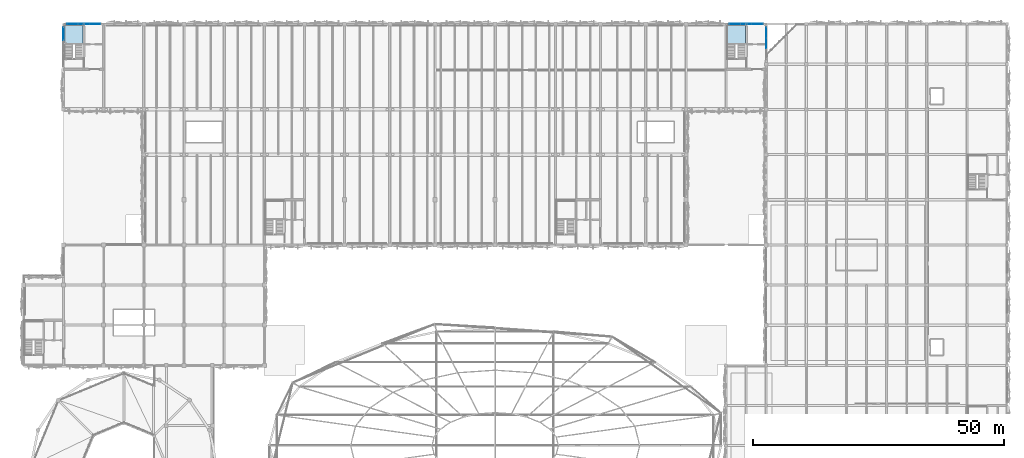
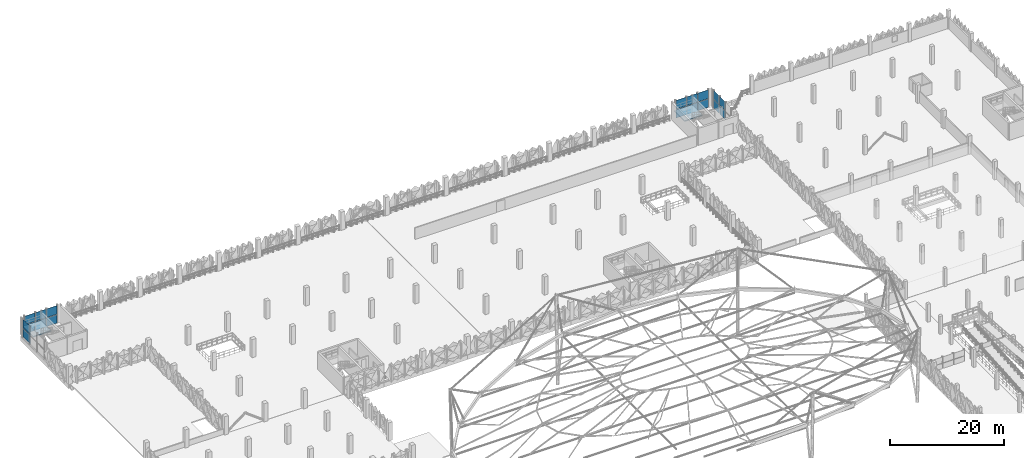
# One storey, part 40 of 96: 18 plates, 2 slabs, 6 elements without a shape of their own.
"""IFC4 building model written with IfcOpenShell, lengths in metres."""

from ifc_helpers import new_model, si_unit, derived_unit, direction, frame, origin, origin_2d, place, context, subcontext, project, spatial, polyline, rectangle, outline, extrude, material, layer, layer_set, type_object, element, aggregate, save


model = new_model("IFC4")

# Units and contexts
model_context = context("Model", 3, precision=1e-05, world=origin(), true_north=direction((0.0, 1.0)))
body_context = subcontext(model_context, "Body", "Model", "MODEL_VIEW")
ifc_project = project(units=[si_unit("LENGTHUNIT", "METRE"), si_unit("AREAUNIT", "SQUARE_METRE"), si_unit("VOLUMEUNIT", "CUBIC_METRE"), si_unit("PLANEANGLEUNIT", "RADIAN"), si_unit("MASSUNIT", "GRAM", prefix="KILO"), si_unit("THERMODYNAMICTEMPERATUREUNIT", "KELVIN"), derived_unit("THERMALTRANSMITTANCEUNIT", [(si_unit("POWERUNIT", "WATT"), 1), (si_unit("AREAUNIT", "SQUARE_METRE"), -1), (si_unit("THERMODYNAMICTEMPERATUREUNIT", "KELVIN"), -1)])], contexts=[model_context])

# Site, building, storey
site_placement = place(None, origin())
site = spatial("IfcSite", under=ifc_project, at=site_placement, CompositionType="ELEMENT")
building_placement = place(site_placement, origin())
building = spatial("IfcBuilding", under=site, at=building_placement, Name="Haiyu Intermodal Mobility Hub", CompositionType="ELEMENT")
storey_placement = place(building_placement, frame((0.0, 0.0, 9.5)))
storey = spatial("IfcBuildingStorey", under=building, at=storey_placement, Name="L02", CompositionType="ELEMENT", Elevation=9.5)

# Curtain wall, plates
ifc_material_1 = material(Name="Low-e laminated insulating glass", Category="glass")
ifc_layer_1 = layer(ifc_material_1, 0.199951171875)
ifc_layer_set_1 = layer_set([ifc_layer_1], Name="Low-e laminated insulating glass")
curtain_wall_type = type_object("IfcCurtainWallType", Name="CW-CW03", PredefinedType="NOTDEFINED", material=ifc_layer_set_1)
curtain_wall_1_placement = place(storey_placement, origin())
curtain_wall_1 = element("IfcCurtainWall", 1, at=curtain_wall_1_placement, inside=storey, type_object=curtain_wall_type, Name="Curtain Wall CW-C3N-L02-053", PredefinedType="NOTDEFINED")
ifc_layer_2 = layer(ifc_material_1, 0.0400390625)
ifc_layer_set_2 = layer_set([ifc_layer_2], Name="Low-e laminated insulating glass")
plate_type_1 = type_object("IfcPlateType", Name="PLT-CP03", PredefinedType="CURTAIN_PANEL", material=ifc_layer_set_2)
plate_1_placement = place(storey_placement, frame((28.22705078125, 148.0, 0.03515625), z_axis=(0.0, 0.0, 1.0), x_axis=(-1.0, 0.0, 0.0)))
plate_1 = element("IfcPlate", 2, at=plate_1_placement, type_object=plate_type_1, Name="CW-C3N-L02-053-PN01", PredefinedType="CURTAIN_PANEL", context=body_context, shape_type="SweptSolid", body=[
    extrude(rectangle(XDim=2.136962890625, YDim=0.0400390625, at=origin_2d()), origin(), (0.0, 0.0, 1.0), 1.840087890625),
])
plate_2_placement = place(storey_placement, frame((26.0, 148.0, 0.03515625), z_axis=(0.0, 0.0, 1.0), x_axis=(-1.0, 0.0, 0.0)))
plate_2 = element("IfcPlate", 3, at=plate_2_placement, type_object=plate_type_1, Name="CW-C3N-L02-053-PN03", PredefinedType="CURTAIN_PANEL", context=body_context, shape_type="SweptSolid", body=[
    extrude(rectangle(XDim=2.136962890625, YDim=0.0400390625, at=origin_2d()), origin(), (0.0, 0.0, 1.0), 1.840087890625),
])
plate_3_placement = place(storey_placement, frame((23.77294921875, 148.0, 0.03515625), z_axis=(0.0, 0.0, 1.0), x_axis=(-1.0, 0.0, 0.0)))
plate_3 = element("IfcPlate", 4, at=plate_3_placement, type_object=plate_type_1, Name="CW-C3N-L02-053-PN05", PredefinedType="CURTAIN_PANEL", context=body_context, shape_type="SweptSolid", body=[
    extrude(rectangle(XDim=2.136962890625, YDim=0.0400390625, at=origin_2d()), origin(), (0.0, 0.0, 1.0), 1.840087890625),
])

# Curtain wall, plate
curtain_wall_2_placement = place(storey_placement, origin())
curtain_wall_2 = element("IfcCurtainWall", 5, at=curtain_wall_2_placement, inside=storey, type_object=curtain_wall_type, Name="Curtain Wall CW-C3S-L02-054", PredefinedType="NOTDEFINED")
plate_4_placement = place(storey_placement, frame((22.0, 146.06005859375, 0.03515625), z_axis=(0.0, 0.0, 1.0), x_axis=(0.0, -1.0, 0.0)))
plate_4 = element("IfcPlate", 6, at=plate_4_placement, type_object=plate_type_1, Name="CW-C3S-L02-054-PN01", PredefinedType="CURTAIN_PANEL", context=body_context, shape_type="SweptSolid", body=[
    extrude(rectangle(XDim=2.469970703125, YDim=0.0400390625, at=origin_2d()), origin(), (0.0, 0.0, 1.0), 1.840087890625),
])

# Curtain wall, plates
curtain_wall_3_placement = place(storey_placement, origin())
curtain_wall_3 = element("IfcCurtainWall", 7, at=curtain_wall_3_placement, inside=storey, type_object=curtain_wall_type, Name="Curtain Wall CW-C4N-L02-067", PredefinedType="NOTDEFINED")
plate_5_placement = place(storey_placement, frame((160.22705078125, 148.0, 0.03515625), z_axis=(0.0, 0.0, 1.0), x_axis=(-1.0, 0.0, 0.0)))
plate_5 = element("IfcPlate", 8, at=plate_5_placement, type_object=plate_type_1, Name="CW-C4N-L02-067-PN01", PredefinedType="CURTAIN_PANEL", context=body_context, shape_type="SweptSolid", body=[
    extrude(rectangle(XDim=2.136962890625, YDim=0.0400390625, at=origin_2d()), origin(), (0.0, 0.0, 1.0), 1.840087890625),
])
plate_6_placement = place(storey_placement, frame((158.0, 148.0, 0.03515625), z_axis=(0.0, 0.0, 1.0), x_axis=(-1.0, 0.0, 0.0)))
plate_6 = element("IfcPlate", 9, at=plate_6_placement, type_object=plate_type_1, Name="CW-C4N-L02-067-PN03", PredefinedType="CURTAIN_PANEL", context=body_context, shape_type="SweptSolid", body=[
    extrude(rectangle(XDim=2.136962890625, YDim=0.0400390625, at=origin_2d()), origin(), (0.0, 0.0, 1.0), 1.840087890625),
])
plate_7_placement = place(storey_placement, frame((155.77294921875, 148.0, 0.03515625), z_axis=(0.0, 0.0, 1.0), x_axis=(-1.0, 0.0, 0.0)))
plate_7 = element("IfcPlate", 10, at=plate_7_placement, type_object=plate_type_1, Name="CW-C4N-L02-067-PN05", PredefinedType="CURTAIN_PANEL", context=body_context, shape_type="SweptSolid", body=[
    extrude(rectangle(XDim=2.136962890625, YDim=0.0400390625, at=origin_2d()), origin(), (0.0, 0.0, 1.0), 1.840087890625),
])

curtain_wall_4_placement = place(storey_placement, origin())
curtain_wall_4 = element("IfcCurtainWall", 11, at=curtain_wall_4_placement, inside=storey, type_object=curtain_wall_type, Name="Curtain Wall CW-C4S-L02-068", PredefinedType="NOTDEFINED")
plate_8_placement = place(storey_placement, frame((162.0, 144.1650390625, 0.03515625), z_axis=(0.0, 0.0, 1.0), x_axis=(0.0, 1.0, 0.0)))
plate_8 = element("IfcPlate", 12, at=plate_8_placement, type_object=plate_type_1, Name="CW-C4S-L02-068-PN03", PredefinedType="CURTAIN_PANEL", context=body_context, shape_type="SweptSolid", body=[
    extrude(rectangle(XDim=2.027099609375, YDim=0.0400390625, at=origin_2d()), origin(), (0.0, 0.0, 1.0), 1.840087890625),
])
plate_9_placement = place(storey_placement, frame((162.0, 146.281982421875, 0.03515625), z_axis=(0.0, 0.0, 1.0), x_axis=(0.0, 1.0, 0.0)))
plate_9 = element("IfcPlate", 13, at=plate_9_placement, type_object=plate_type_1, Name="CW-C4S-L02-068-PN05", PredefinedType="CURTAIN_PANEL", context=body_context, shape_type="SweptSolid", body=[
    extrude(rectangle(XDim=2.027099609375, YDim=0.0400390625, at=origin_2d()), origin(), (0.0, 0.0, 1.0), 1.840087890625),
])

# Plate
ifc_layer_3 = layer(ifc_material_1, 0.0439453125)
ifc_layer_set_3 = layer_set([ifc_layer_3], Name="Low-e laminated insulating glass")
plate_type_2 = type_object("IfcPlateType", Name="PLT-CP04", PredefinedType="CURTAIN_PANEL", material=ifc_layer_set_3)
plate_10_placement = place(storey_placement, frame((28.22705078125, 148.0, 1.94482421875), z_axis=(0.0, 0.0, 1.0), x_axis=(-1.0, 0.0, 0.0)))
plate_10 = element("IfcPlate", 14, at=plate_10_placement, type_object=plate_type_2, Name="CW-C3N-L02-053-PN02", PredefinedType="CURTAIN_PANEL", context=body_context, shape_type="SweptSolid", body=[
    extrude(rectangle(XDim=2.136962890625, YDim=0.0439453125, at=origin_2d()), origin(), (0.0, 0.0, 1.0), 1.840087890625),
])

plate_11_placement = place(storey_placement, frame((26.0, 148.0, 1.94482421875), z_axis=(0.0, 0.0, 1.0), x_axis=(-1.0, 0.0, 0.0)))
plate_11 = element("IfcPlate", 15, at=plate_11_placement, type_object=plate_type_2, Name="CW-C3N-L02-053-PN04", PredefinedType="CURTAIN_PANEL", context=body_context, shape_type="SweptSolid", body=[
    extrude(rectangle(XDim=2.136962890625, YDim=0.0439453125, at=origin_2d()), origin(), (0.0, 0.0, 1.0), 1.840087890625),
])

plate_12_placement = place(storey_placement, frame((23.77294921875, 148.0, 1.94482421875), z_axis=(0.0, 0.0, 1.0), x_axis=(-1.0, 0.0, 0.0)))
plate_12 = element("IfcPlate", 16, at=plate_12_placement, type_object=plate_type_2, Name="CW-C3N-L02-053-PN06", PredefinedType="CURTAIN_PANEL", context=body_context, shape_type="SweptSolid", body=[
    extrude(rectangle(XDim=2.136962890625, YDim=0.0439453125, at=origin_2d()), origin(), (0.0, 0.0, 1.0), 1.840087890625),
])

aggregate(curtain_wall_1, [plate_1, plate_10, plate_2, plate_11, plate_3, plate_12])

plate_13_placement = place(storey_placement, frame((22.0, 146.06005859375, 1.94482421875), z_axis=(0.0, 0.0, 1.0), x_axis=(0.0, -1.0, 0.0)))
plate_13 = element("IfcPlate", 17, at=plate_13_placement, type_object=plate_type_2, Name="CW-C3S-L02-054-PN02", PredefinedType="CURTAIN_PANEL", context=body_context, shape_type="SweptSolid", body=[
    extrude(rectangle(XDim=2.469970703125, YDim=0.0439453125, at=origin_2d()), origin(), (0.0, 0.0, 1.0), 1.840087890625),
])

aggregate(curtain_wall_2, [plate_4, plate_13])

plate_14_placement = place(storey_placement, frame((160.22705078125, 148.0, 1.94482421875), z_axis=(0.0, 0.0, 1.0), x_axis=(-1.0, 0.0, 0.0)))
plate_14 = element("IfcPlate", 18, at=plate_14_placement, type_object=plate_type_2, Name="CW-C4N-L02-067-PN02", PredefinedType="CURTAIN_PANEL", context=body_context, shape_type="SweptSolid", body=[
    extrude(rectangle(XDim=2.136962890625, YDim=0.0439453125, at=origin_2d()), origin(), (0.0, 0.0, 1.0), 1.840087890625),
])

plate_15_placement = place(storey_placement, frame((158.0, 148.0, 1.94482421875), z_axis=(0.0, 0.0, 1.0), x_axis=(-1.0, 0.0, 0.0)))
plate_15 = element("IfcPlate", 19, at=plate_15_placement, type_object=plate_type_2, Name="CW-C4N-L02-067-PN04", PredefinedType="CURTAIN_PANEL", context=body_context, shape_type="SweptSolid", body=[
    extrude(rectangle(XDim=2.136962890625, YDim=0.0439453125, at=origin_2d()), origin(), (0.0, 0.0, 1.0), 1.840087890625),
])

plate_16_placement = place(storey_placement, frame((155.77294921875, 148.0, 1.94482421875), z_axis=(0.0, 0.0, 1.0), x_axis=(-1.0, 0.0, 0.0)))
plate_16 = element("IfcPlate", 20, at=plate_16_placement, type_object=plate_type_2, Name="CW-C4N-L02-067-PN06", PredefinedType="CURTAIN_PANEL", context=body_context, shape_type="SweptSolid", body=[
    extrude(rectangle(XDim=2.136962890625, YDim=0.0439453125, at=origin_2d()), origin(), (0.0, 0.0, 1.0), 1.840087890625),
])

aggregate(curtain_wall_3, [plate_5, plate_14, plate_6, plate_15, plate_7, plate_16])

plate_17_placement = place(storey_placement, frame((162.0, 144.1650390625, 1.94482421875), z_axis=(0.0, 0.0, 1.0), x_axis=(0.0, 1.0, 0.0)))
plate_17 = element("IfcPlate", 21, at=plate_17_placement, type_object=plate_type_2, Name="CW-C4S-L02-068-PN04", PredefinedType="CURTAIN_PANEL", context=body_context, shape_type="SweptSolid", body=[
    extrude(rectangle(XDim=2.027099609375, YDim=0.0439453125, at=origin_2d()), origin(), (0.0, 0.0, 1.0), 1.840087890625),
])

plate_18_placement = place(storey_placement, frame((162.0, 146.281982421875, 1.94482421875), z_axis=(0.0, 0.0, 1.0), x_axis=(0.0, 1.0, 0.0)))
plate_18 = element("IfcPlate", 22, at=plate_18_placement, type_object=plate_type_2, Name="CW-C4S-L02-068-PN06", PredefinedType="CURTAIN_PANEL", context=body_context, shape_type="SweptSolid", body=[
    extrude(rectangle(XDim=2.027099609375, YDim=0.0439453125, at=origin_2d()), origin(), (0.0, 0.0, 1.0), 1.840087890625),
])

aggregate(curtain_wall_4, [plate_8, plate_17, plate_9, plate_18])

# Stair, slab
ifc_material_2 = material(Name="Concrete C40", Category="concrete")
stair_type = type_object("IfcStairType", Name="STR-ST03", PredefinedType="HALF_TURN_STAIR", material=ifc_material_2)
stair_1_placement = place(storey_placement, origin())
stair_1 = element("IfcStair", 23, at=stair_1_placement, inside=storey, type_object=stair_type, Name="Exit Stair ST02 L02", PredefinedType="HALF_TURN_STAIR")
ifc_layer_4 = layer(ifc_material_2, 0.2099609375)
ifc_layer_set_4 = layer_set([ifc_layer_4], Name="Concrete C40")
slab_type = type_object("IfcSlabType", Name="SLB-SL13", PredefinedType="LANDING", material=ifc_layer_set_4)
slab_1_placement = place(storey_placement, frame((0.0, 0.0, 1.739990234375)))
slab_1 = element("IfcSlab", 24, at=slab_1_placement, type_object=slab_type, Name="Stair Half-Landing STR-C3-L02-LND", PredefinedType="LANDING", context=body_context, shape_type="SweptSolid", body=[
    extrude(outline(polyline([(22.219970703125, 144.1298828125), (25.8701171875, 144.1298828125), (25.8701171875, 147.780029296875), (22.219970703125, 147.780029296875), (22.219970703125, 144.1298828125)])), origin(), (0.0, 0.0, 1.0), 0.2099609375),
])
aggregate(stair_1, [slab_1])

stair_2_placement = place(storey_placement, origin())
stair_2 = element("IfcStair", 25, at=stair_2_placement, inside=storey, type_object=stair_type, Name="Exit Stair ST02 L02", PredefinedType="HALF_TURN_STAIR")
slab_2_placement = place(storey_placement, frame((0.0, 0.0, 1.739990234375)))
slab_2 = element("IfcSlab", 26, at=slab_2_placement, type_object=slab_type, Name="Stair Half-Landing STR-C4-L02-LND", PredefinedType="LANDING", context=body_context, shape_type="SweptSolid", body=[
    extrude(outline(polyline([(154.219970703125, 144.1298828125), (157.8701171875, 144.1298828125), (157.8701171875, 147.780029296875), (154.219970703125, 147.780029296875), (154.219970703125, 144.1298828125)])), origin(), (0.0, 0.0, 1.0), 0.2099609375),
])
aggregate(stair_2, [slab_2])

save(model, "model.ifc")
